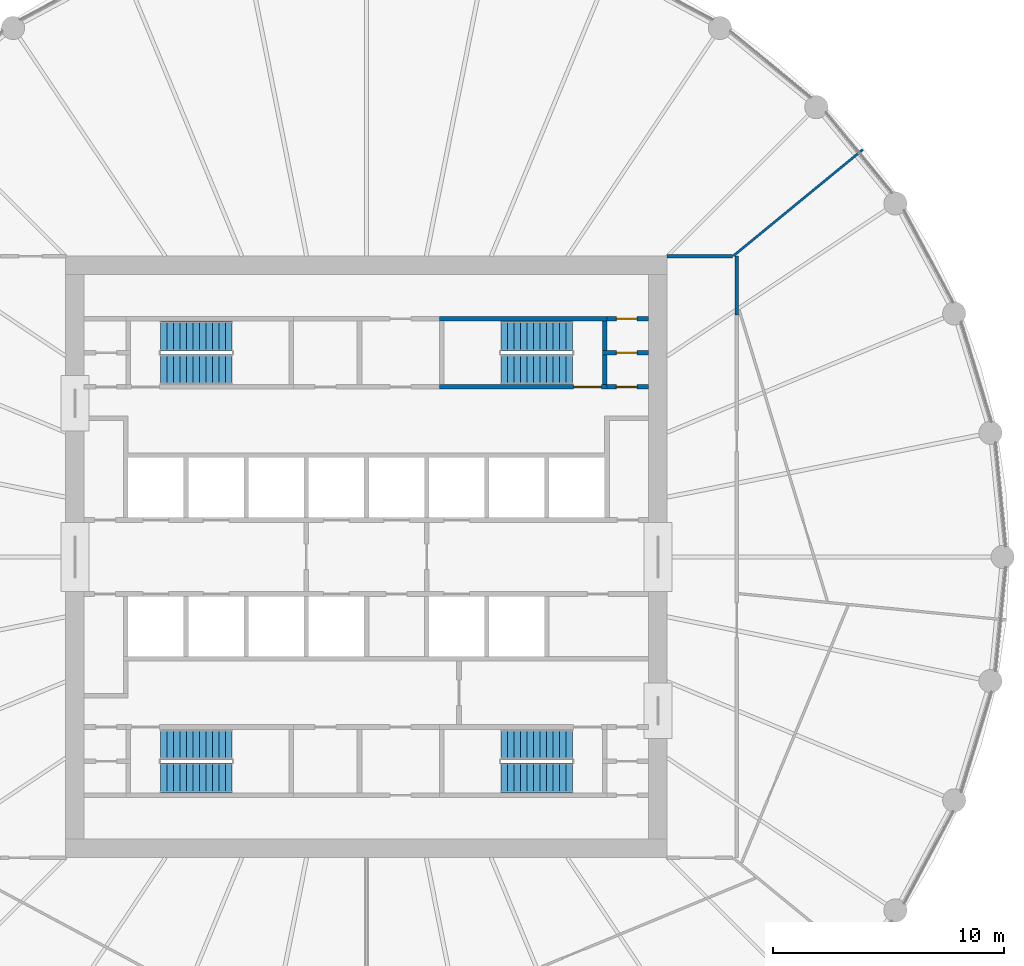
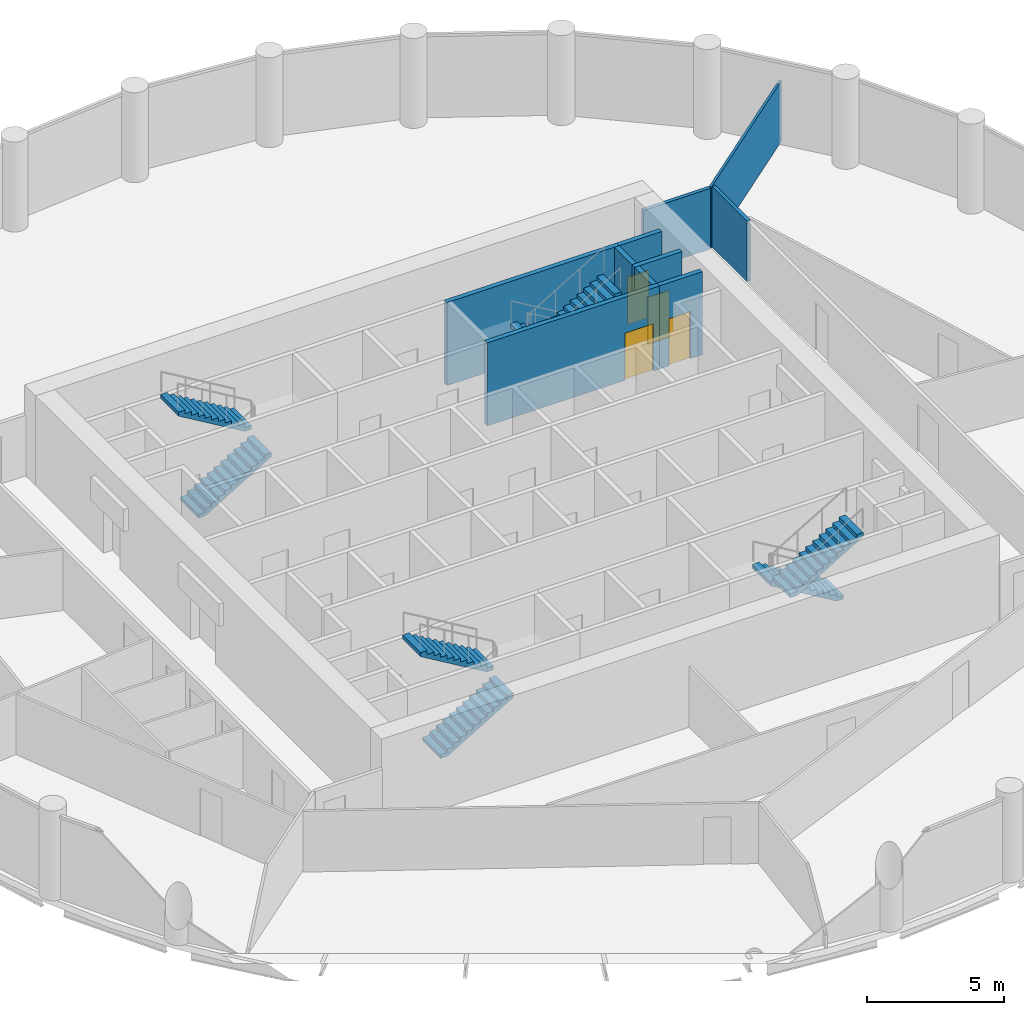
# One storey, part 7 of 8: 10 walls, 8 stair flights, 4 doors, 4 openings, 4 elements without a shape of their own.
"""IFC4 building model written with IfcOpenShell, lengths in metres."""

from ifc_helpers import new_model, si_unit, direction, frame, frame_2d, origin, place, context, subcontext, project, spatial, polyline, rectangle, outline, extrude, material, layer, layer_set, type_object, element, fill, aggregate, save


model = new_model("IFC4")

# Units and contexts
model_context = context("Model", 3, precision=1e-05, world=origin(), true_north=direction((0.0, 1.0)))
body_context = subcontext(model_context, "Body", "Model", "MODEL_VIEW")
ifc_project = project(units=[si_unit("LENGTHUNIT", "METRE"), si_unit("AREAUNIT", "SQUARE_METRE"), si_unit("VOLUMEUNIT", "CUBIC_METRE"), si_unit("PLANEANGLEUNIT", "RADIAN"), si_unit("MASSUNIT", "GRAM", prefix="KILO")], contexts=[model_context])

# Site, building, storey
site_placement = place(None, origin())
site = spatial("IfcSite", under=ifc_project, at=site_placement, CompositionType="ELEMENT")
building_placement = place(site_placement, origin())
building = spatial("IfcBuilding", under=site, at=building_placement, Name="Corvane Civic Tower", CompositionType="ELEMENT")
storey_placement = place(building_placement, frame((0.0, 0.0, 229.5)))
storey = spatial("IfcBuildingStorey", under=building, at=storey_placement, Name="L54", CompositionType="ELEMENT", Elevation=229.5)

# Wall, opening, door
ifc_material_1 = material(Name="Concrete C30/37", Category="concrete")
ifc_layer_1 = layer(ifc_material_1, 0.199951171875)
ifc_layer_set_1 = layer_set([ifc_layer_1], Name="Concrete C30/37")
wall_type_1 = type_object("IfcWallType", Name="CR-WALL-200", PredefinedType="PARTITIONING", material=ifc_layer_set_1)
wall_1_placement = place(storey_placement, frame((10.39990234375, 7.35009765625, 0.0), z_axis=(0.0, 0.0, 1.0), x_axis=(1.0, 0.0, 0.0)))
wall_1 = element("IfcWall", 1, at=wall_1_placement, inside=storey, type_object=wall_type_1, Name="L54 core partition wall", PredefinedType="PARTITIONING", context=body_context, shape_type="SweptSolid", body=[
    extrude(rectangle(XDim=1.800048828125, YDim=0.199951171875, at=frame_2d((0.89990234375, 0.0))), origin(), (0.0, 0.0, 1.0), 3.699951171875),
])
opening_1_placement = place(wall_1_placement, frame((0.39990234375, 0.0, 0.0)))
opening_1 = element("IfcOpeningElement", 2, at=opening_1_placement, cuts=wall_1, Name="Opening L54.C16", PredefinedType="OPENING", context=body_context, shape_type="SweptSolid", body=[
    extrude(rectangle(XDim=0.89990234375, YDim=2.10009765625, at=frame_2d((0.449951171875, 1.050048828125))), frame((0.0, 0.10986328125, 0.0), z_axis=(0.0, -1.0, 0.0), x_axis=(1.0, 0.0, 0.0)), (0.0, 0.0, 1.0), 0.219970703125),
])
ifc_material_2 = material(Name="Steel fire door leaf", Category="steel")
door_type_1 = type_object("IfcDoorType", Name="CR-DOOR-900", OperationType="SINGLE_SWING_LEFT", PredefinedType="DOOR", material=ifc_material_2)
door_1_placement = place(opening_1_placement, origin())
door_1 = element("IfcDoor", 3, at=door_1_placement, inside=storey, type_object=door_type_1, Name="L54 door", OperationType="SINGLE_SWING_LEFT", OverallHeight=2.10009765625, OverallWidth=0.89990234375, PredefinedType="DOOR", context=body_context, shape_type="SweptSolid", body=[
    extrude(rectangle(XDim=0.89990234375, YDim=2.10009765625, at=frame_2d((0.449951171875, 1.050048828125))), frame((0.0, 0.02490234375, 0.0), z_axis=(0.0, -1.0, 0.0), x_axis=(1.0, 0.0, 0.0)), (0.0, 0.0, 1.0), 0.050048828125),
])
fill(opening_1, door_1)

wall_2_placement = place(storey_placement, frame((10.199951171875, 8.824951171875, 0.0), z_axis=(0.0, 0.0, 1.0), x_axis=(1.0, 0.0, 0.0)))
wall_2 = element("IfcWall", 4, at=wall_2_placement, inside=storey, type_object=wall_type_1, Name="L54 partition wall", PredefinedType="PARTITIONING", context=body_context, shape_type="SweptSolid", body=[
    extrude(rectangle(XDim=2.0, YDim=0.199951171875, at=frame_2d((1.0, 0.0))), origin(), (0.0, 0.0, 1.0), 3.699951171875),
])
opening_2_placement = place(wall_2_placement, frame((0.60009765625, 0.0, 0.0)))
opening_2 = element("IfcOpeningElement", 5, at=opening_2_placement, cuts=wall_2, Name="Opening L54.C17", PredefinedType="OPENING", context=body_context, shape_type="SweptSolid", body=[
    extrude(rectangle(XDim=0.89990234375, YDim=2.10009765625, at=frame_2d((0.449951171875, 1.050048828125))), frame((0.0, 0.10986328125, 0.0), z_axis=(0.0, -1.0, 0.0), x_axis=(1.0, 0.0, 0.0)), (0.0, 0.0, 1.0), 0.219970703125),
])
door_2_placement = place(opening_2_placement, origin())
door_2 = element("IfcDoor", 6, at=door_2_placement, inside=storey, type_object=door_type_1, Name="L54 door", OperationType="SINGLE_SWING_LEFT", OverallHeight=2.10009765625, OverallWidth=0.89990234375, PredefinedType="DOOR", context=body_context, shape_type="SweptSolid", body=[
    extrude(rectangle(XDim=0.89990234375, YDim=2.10009765625, at=frame_2d((0.449951171875, 1.050048828125))), frame((0.0, 0.02490234375, 0.0), z_axis=(0.0, -1.0, 0.0), x_axis=(1.0, 0.0, 0.0)), (0.0, 0.0, 1.0), 0.050048828125),
])
fill(opening_2, door_2)

wall_3_placement = place(storey_placement, frame((10.39990234375, 10.300048828125, 0.0), z_axis=(0.0, 0.0, 1.0), x_axis=(1.0, 0.0, 0.0)))
wall_3 = element("IfcWall", 7, at=wall_3_placement, inside=storey, type_object=wall_type_1, Name="L54 partition wall", PredefinedType="PARTITIONING", context=body_context, shape_type="SweptSolid", body=[
    extrude(rectangle(XDim=1.800048828125, YDim=0.199951171875, at=frame_2d((0.89990234375, 0.0))), origin(), (0.0, 0.0, 1.0), 3.699951171875),
])
opening_3_placement = place(wall_3_placement, frame((0.39990234375, 0.0, 0.0)))
opening_3 = element("IfcOpeningElement", 8, at=opening_3_placement, cuts=wall_3, Name="Opening L54.C18", PredefinedType="OPENING", context=body_context, shape_type="SweptSolid", body=[
    extrude(rectangle(XDim=0.89990234375, YDim=2.10009765625, at=frame_2d((0.449951171875, 1.050048828125))), frame((0.0, 0.10986328125, 0.0), z_axis=(0.0, -1.0, 0.0), x_axis=(1.0, 0.0, 0.0)), (0.0, 0.0, 1.0), 0.219970703125),
])
door_3_placement = place(opening_3_placement, origin())
door_3 = element("IfcDoor", 9, at=door_3_placement, inside=storey, type_object=door_type_1, Name="L54 door", OperationType="SINGLE_SWING_LEFT", OverallHeight=2.10009765625, OverallWidth=0.89990234375, PredefinedType="DOOR", context=body_context, shape_type="SweptSolid", body=[
    extrude(rectangle(XDim=0.89990234375, YDim=2.10009765625, at=frame_2d((0.449951171875, 1.050048828125))), frame((0.0, 0.02490234375, 0.0), z_axis=(0.0, -1.0, 0.0), x_axis=(1.0, 0.0, 0.0)), (0.0, 0.0, 1.0), 0.050048828125),
])
fill(opening_3, door_3)

# Wall
ifc_material_3 = material(Name="Plasterboard")
ifc_layer_2 = layer(ifc_material_3, 0.10009765625)
ifc_layer_set_2 = layer_set([ifc_layer_2], Name="Plasterboard")
wall_type_2 = type_object("IfcWallType", Name="Partition 100 plasterboard on studs", PredefinedType="PARTITIONING", material=ifc_layer_set_2)
wall_4_placement = place(storey_placement, frame((15.8544921875, 13.01123046875, 0.0), z_axis=(0.0, 0.0, 1.0), x_axis=(0.772997895748, 0.634408585352, 0.0)))
element("IfcWall", 10, at=wall_4_placement, inside=storey, type_object=wall_type_2, Name="Partition L54.028", PredefinedType="PARTITIONING", context=body_context, shape_type="SweptSolid", body=[
    extrude(rectangle(XDim=7.240234375, YDim=0.10009765625, at=frame_2d((3.6201171875, 0.0))), origin(), (0.0, 0.0, 1.0), 2.699951171875),
])

# Wall, opening, door
ifc_material_4 = material(Name="Concrete C50/60", Category="concrete")
ifc_layer_3 = layer(ifc_material_4, 0.199951171875)
ifc_layer_set_3 = layer_set([ifc_layer_3], Name="Concrete C50/60")
wall_type_3 = type_object("IfcWallType", Name="ST-WALL-200", PredefinedType="SHEAR", material=ifc_layer_set_3)
wall_5_placement = place(storey_placement, frame((3.14990234375, 7.35009765625, 0.0), z_axis=(0.0, 0.0, 1.0), x_axis=(1.0, 0.0, 0.0)))
wall_5 = element("IfcWall", 11, at=wall_5_placement, inside=storey, type_object=wall_type_3, Name="L54 stair enclosure wall", PredefinedType="SHEAR", context=body_context, shape_type="SweptSolid", body=[
    extrude(rectangle(XDim=7.25, YDim=0.199951171875, at=frame_2d((3.625, 0.0))), origin(), (0.0, 0.0, 1.0), 3.699951171875),
])
opening_4_placement = place(wall_5_placement, frame((5.800048828125, 0.0, 0.0)))
opening_4 = element("IfcOpeningElement", 12, at=opening_4_placement, cuts=wall_5, Name="Opening L54.C22", PredefinedType="OPENING", context=body_context, shape_type="SweptSolid", body=[
    extrude(rectangle(XDim=1.199951171875, YDim=2.10009765625, at=frame_2d((0.60009765625, 1.050048828125))), frame((0.0, 0.10986328125, 0.0), z_axis=(0.0, -1.0, 0.0), x_axis=(1.0, 0.0, 0.0)), (0.0, 0.0, 1.0), 0.219970703125),
])
ifc_material_5 = material(Name="Steel fire door leaf", Category="steel")
door_type_2 = type_object("IfcDoorType", Name="ST-DOOR-1200", OperationType="SINGLE_SWING_RIGHT", PredefinedType="DOOR", material=ifc_material_5)
door_4_placement = place(opening_4_placement, origin())
door_4 = element("IfcDoor", 13, at=door_4_placement, inside=storey, type_object=door_type_2, Name="L54 stair door", OperationType="SINGLE_SWING_RIGHT", OverallHeight=2.10009765625, OverallWidth=1.199951171875, PredefinedType="DOOR", context=body_context, shape_type="SweptSolid", body=[
    extrude(rectangle(XDim=1.199951171875, YDim=2.10009765625, at=frame_2d((0.60009765625, 1.050048828125))), frame((0.0, 0.02490234375, 0.0), z_axis=(0.0, -1.0, 0.0), x_axis=(1.0, 0.0, 0.0)), (0.0, 0.0, 1.0), 0.050048828125),
])
fill(opening_4, door_4)

# Walls
wall_6_placement = place(storey_placement, origin())
element("IfcWall", 14, at=wall_6_placement, inside=storey, type_object=wall_type_3, Name="L54 stair enclosure wall", PredefinedType="SHEAR", context=body_context, shape_type="SweptSolid", body=[
    extrude(outline(polyline([(10.39990234375, 10.199951171875), (3.14990234375, 10.199951171875), (3.14990234375, 10.39990234375), (10.39990234375, 10.39990234375), (10.39990234375, 10.199951171875)])), origin(), (0.0, 0.0, 1.0), 3.699951171875),
])
wall_7_placement = place(storey_placement, origin())
element("IfcWall", 15, at=wall_7_placement, inside=storey, type_object=wall_type_3, Name="L54 stair enclosure wall", PredefinedType="SHEAR", context=body_context, shape_type="SweptSolid", body=[
    extrude(outline(polyline([(10.39990234375, 8.72509765625), (10.39990234375, 7.449951171875), (10.199951171875, 7.449951171875), (10.199951171875, 8.72509765625), (10.39990234375, 8.72509765625)])), origin(), (0.0, 0.0, 1.0), 3.699951171875),
])
wall_8_placement = place(storey_placement, origin())
element("IfcWall", 16, at=wall_8_placement, inside=storey, type_object=wall_type_3, Name="L54 stair enclosure wall", PredefinedType="SHEAR", context=body_context, shape_type="SweptSolid", body=[
    extrude(outline(polyline([(10.39990234375, 8.925048828125), (10.199951171875, 8.925048828125), (10.199951171875, 10.199951171875), (10.39990234375, 10.199951171875), (10.39990234375, 8.925048828125)])), origin(), (0.0, 0.0, 1.0), 3.699951171875),
])
ifc_material_6 = material(Name="Plasterboard")
ifc_layer_4 = layer(ifc_material_6, 0.14990234375)
ifc_layer_set_4 = layer_set([ifc_layer_4], Name="Plasterboard")
wall_type_4 = type_object("IfcWallType", Name="Tenancy wall 150 EI 60", PredefinedType="PARTITIONING", material=ifc_layer_set_4)
wall_9_placement = place(storey_placement, frame((16.0, 10.459716796875, 0.0), z_axis=(0.0, 0.0, 1.0), x_axis=(0.0, 1.0, 0.0)))
element("IfcWall", 17, at=wall_9_placement, inside=storey, type_object=wall_type_4, Name="Partition L54.024", PredefinedType="PARTITIONING", context=body_context, shape_type="SweptSolid", body=[
    extrude(rectangle(XDim=2.540283203125, YDim=0.14990234375, at=frame_2d((1.27001953125, 0.0))), origin(), (0.0, 0.0, 1.0), 2.699951171875),
])
wall_10_placement = place(storey_placement, frame((12.989990234375, 13.0, 0.0), z_axis=(0.0, 0.0, 1.0), x_axis=(1.0, 0.0, 0.0)))
element("IfcWall", 18, at=wall_10_placement, inside=storey, type_object=wall_type_4, Name="Partition L54.026", PredefinedType="PARTITIONING", context=body_context, shape_type="SweptSolid", body=[
    extrude(rectangle(XDim=2.82373046875, YDim=0.14990234375, at=frame_2d((1.411865234375, 0.0))), origin(), (0.0, 0.0, 1.0), 2.699951171875),
])

# Stair, stair flights
ifc_material_7 = material(Name="Concrete C40/50", Category="concrete")
stair_type = type_object("IfcStairType", Name="ST-STAIR-HALFTURN", PredefinedType="HALF_TURN_STAIR", material=ifc_material_7)
stair_1_placement = place(storey_placement, origin())
stair_1 = element("IfcStair", 19, at=stair_1_placement, inside=storey, type_object=stair_type, Name="L54 Exit stair ST1", PredefinedType="HALF_TURN_STAIR")
ifc_material_8 = material(Name="Concrete C40/50", Category="concrete")
stair_flight_type = type_object("IfcStairFlightType", Name="ST-FLIGHT-RC", PredefinedType="STRAIGHT", material=ifc_material_8)
stair_flight_1_placement = place(storey_placement, frame((8.89990234375, 9.550048828125, 0.0), z_axis=(0.0, 0.0, 1.0), x_axis=(-1.0, 0.0, 0.0)))
stair_flight_1 = element("IfcStairFlight", 20, at=stair_flight_1_placement, type_object=stair_flight_type, Name="ST1 flight 1", NumberOfRisers=12, NumberOfTreads=11, PredefinedType="STRAIGHT", RiserHeight=0.166666667, TreadLength=0.28, context=body_context, shape_type="SweptSolid", body=[
    extrude(outline(polyline([(0.0, 0.0), (0.0, 0.166748046875), (0.280029296875, 0.166748046875), (0.280029296875, 0.333251953125), (0.56005859375, 0.333251953125), (0.56005859375, 0.5), (0.840087890625, 0.5), (0.840087890625, 0.666748046875), (1.1201171875, 0.666748046875), (1.1201171875, 0.833251953125), (1.39990234375, 0.833251953125), (1.39990234375, 1.0), (1.679931640625, 1.0), (1.679931640625, 1.166748046875), (1.9599609375, 1.166748046875), (1.9599609375, 1.333251953125), (2.239990234375, 1.333251953125), (2.239990234375, 1.5), (2.52001953125, 1.5), (2.52001953125, 1.666748046875), (2.800048828125, 1.666748046875), (2.800048828125, 1.833251953125), (3.080078125, 1.833251953125), (3.080078125, 2.0), (3.080078125, 1.658935546875), (0.29296875, 0.0), (0.0, 0.0)])), frame((0.0, 0.64990234375, 0.0), z_axis=(0.0, -1.0, 0.0), x_axis=(1.0, 0.0, 0.0)), (0.0, 0.0, 1.0), 1.300048828125),
])
stair_flight_2_placement = place(storey_placement, frame((5.820068359375, 8.10009765625, 2.0), z_axis=(0.0, 0.0, 1.0), x_axis=(1.0, 0.0, 0.0)))
stair_flight_2 = element("IfcStairFlight", 21, at=stair_flight_2_placement, type_object=stair_flight_type, Name="ST1 flight 2", NumberOfRisers=12, NumberOfTreads=11, PredefinedType="STRAIGHT", RiserHeight=0.166666667, TreadLength=0.28, context=body_context, shape_type="SweptSolid", body=[
    extrude(outline(polyline([(0.0, 0.0), (0.0, 0.166748046875), (0.280029296875, 0.166748046875), (0.280029296875, 0.333251953125), (0.56005859375, 0.333251953125), (0.56005859375, 0.5), (0.840087890625, 0.5), (0.840087890625, 0.666748046875), (1.1201171875, 0.666748046875), (1.1201171875, 0.833251953125), (1.39990234375, 0.833251953125), (1.39990234375, 1.0), (1.679931640625, 1.0), (1.679931640625, 1.166748046875), (1.9599609375, 1.166748046875), (1.9599609375, 1.333251953125), (2.239990234375, 1.333251953125), (2.239990234375, 1.5), (2.52001953125, 1.5), (2.52001953125, 1.666748046875), (2.800048828125, 1.666748046875), (2.800048828125, 1.833251953125), (3.080078125, 1.833251953125), (3.080078125, 2.0), (3.080078125, 1.658935546875), (0.29296875, 0.0), (0.0, 0.0)])), frame((0.0, 0.64990234375, 0.0), z_axis=(0.0, -1.0, 0.0), x_axis=(1.0, 0.0, 0.0)), (0.0, 0.0, 1.0), 1.300048828125),
])
aggregate(stair_1, [stair_flight_1, stair_flight_2])

stair_2_placement = place(storey_placement, origin())
stair_2 = element("IfcStair", 22, at=stair_2_placement, inside=storey, type_object=stair_type, Name="L54 Exit stair ST2", PredefinedType="HALF_TURN_STAIR")
stair_flight_3_placement = place(storey_placement, frame((8.89990234375, -8.10009765625, 0.0), z_axis=(0.0, 0.0, 1.0), x_axis=(-1.0, 0.0, 0.0)))
stair_flight_3 = element("IfcStairFlight", 23, at=stair_flight_3_placement, type_object=stair_flight_type, Name="ST2 flight 1", NumberOfRisers=12, NumberOfTreads=11, PredefinedType="STRAIGHT", RiserHeight=0.166666667, TreadLength=0.28, context=body_context, shape_type="SweptSolid", body=[
    extrude(outline(polyline([(0.0, 0.0), (0.0, 0.166748046875), (0.280029296875, 0.166748046875), (0.280029296875, 0.333251953125), (0.56005859375, 0.333251953125), (0.56005859375, 0.5), (0.840087890625, 0.5), (0.840087890625, 0.666748046875), (1.1201171875, 0.666748046875), (1.1201171875, 0.833251953125), (1.39990234375, 0.833251953125), (1.39990234375, 1.0), (1.679931640625, 1.0), (1.679931640625, 1.166748046875), (1.9599609375, 1.166748046875), (1.9599609375, 1.333251953125), (2.239990234375, 1.333251953125), (2.239990234375, 1.5), (2.52001953125, 1.5), (2.52001953125, 1.666748046875), (2.800048828125, 1.666748046875), (2.800048828125, 1.833251953125), (3.080078125, 1.833251953125), (3.080078125, 2.0), (3.080078125, 1.658935546875), (0.29296875, 0.0), (0.0, 0.0)])), frame((0.0, 0.64990234375, 0.0), z_axis=(0.0, -1.0, 0.0), x_axis=(1.0, 0.0, 0.0)), (0.0, 0.0, 1.0), 1.300048828125),
])
stair_flight_4_placement = place(storey_placement, frame((5.820068359375, -9.550048828125, 2.0), z_axis=(0.0, 0.0, 1.0), x_axis=(1.0, 0.0, 0.0)))
stair_flight_4 = element("IfcStairFlight", 24, at=stair_flight_4_placement, type_object=stair_flight_type, Name="ST2 flight 2", NumberOfRisers=12, NumberOfTreads=11, PredefinedType="STRAIGHT", RiserHeight=0.166666667, TreadLength=0.28, context=body_context, shape_type="SweptSolid", body=[
    extrude(outline(polyline([(0.0, 0.0), (0.0, 0.166748046875), (0.280029296875, 0.166748046875), (0.280029296875, 0.333251953125), (0.56005859375, 0.333251953125), (0.56005859375, 0.5), (0.840087890625, 0.5), (0.840087890625, 0.666748046875), (1.1201171875, 0.666748046875), (1.1201171875, 0.833251953125), (1.39990234375, 0.833251953125), (1.39990234375, 1.0), (1.679931640625, 1.0), (1.679931640625, 1.166748046875), (1.9599609375, 1.166748046875), (1.9599609375, 1.333251953125), (2.239990234375, 1.333251953125), (2.239990234375, 1.5), (2.52001953125, 1.5), (2.52001953125, 1.666748046875), (2.800048828125, 1.666748046875), (2.800048828125, 1.833251953125), (3.080078125, 1.833251953125), (3.080078125, 2.0), (3.080078125, 1.658935546875), (0.29296875, 0.0), (0.0, 0.0)])), frame((0.0, 0.64990234375, 0.0), z_axis=(0.0, -1.0, 0.0), x_axis=(1.0, 0.0, 0.0)), (0.0, 0.0, 1.0), 1.300048828125),
])
aggregate(stair_2, [stair_flight_3, stair_flight_4])

stair_3_placement = place(storey_placement, origin())
stair_3 = element("IfcStair", 25, at=stair_3_placement, inside=storey, type_object=stair_type, Name="L54 Exit stair ST3", PredefinedType="HALF_TURN_STAIR")
stair_flight_5_placement = place(storey_placement, frame((-8.89990234375, -9.550048828125, 0.0), z_axis=(0.0, 0.0, 1.0), x_axis=(1.0, 0.0, 0.0)))
stair_flight_5 = element("IfcStairFlight", 26, at=stair_flight_5_placement, type_object=stair_flight_type, Name="ST3 flight 1", NumberOfRisers=12, NumberOfTreads=11, PredefinedType="STRAIGHT", RiserHeight=0.166666667, TreadLength=0.28, context=body_context, shape_type="SweptSolid", body=[
    extrude(outline(polyline([(0.0, 0.0), (0.0, 0.166748046875), (0.280029296875, 0.166748046875), (0.280029296875, 0.333251953125), (0.56005859375, 0.333251953125), (0.56005859375, 0.5), (0.840087890625, 0.5), (0.840087890625, 0.666748046875), (1.1201171875, 0.666748046875), (1.1201171875, 0.833251953125), (1.39990234375, 0.833251953125), (1.39990234375, 1.0), (1.679931640625, 1.0), (1.679931640625, 1.166748046875), (1.9599609375, 1.166748046875), (1.9599609375, 1.333251953125), (2.239990234375, 1.333251953125), (2.239990234375, 1.5), (2.52001953125, 1.5), (2.52001953125, 1.666748046875), (2.800048828125, 1.666748046875), (2.800048828125, 1.833251953125), (3.080078125, 1.833251953125), (3.080078125, 2.0), (3.080078125, 1.658935546875), (0.29296875, 0.0), (0.0, 0.0)])), frame((0.0, 0.64990234375, 0.0), z_axis=(0.0, -1.0, 0.0), x_axis=(1.0, 0.0, 0.0)), (0.0, 0.0, 1.0), 1.300048828125),
])
stair_flight_6_placement = place(storey_placement, frame((-5.820068359375, -8.10009765625, 2.0), z_axis=(0.0, 0.0, 1.0), x_axis=(-1.0, 0.0, 0.0)))
stair_flight_6 = element("IfcStairFlight", 27, at=stair_flight_6_placement, type_object=stair_flight_type, Name="ST3 flight 2", NumberOfRisers=12, NumberOfTreads=11, PredefinedType="STRAIGHT", RiserHeight=0.166666667, TreadLength=0.28, context=body_context, shape_type="SweptSolid", body=[
    extrude(outline(polyline([(0.0, 0.0), (0.0, 0.166748046875), (0.280029296875, 0.166748046875), (0.280029296875, 0.333251953125), (0.56005859375, 0.333251953125), (0.56005859375, 0.5), (0.840087890625, 0.5), (0.840087890625, 0.666748046875), (1.1201171875, 0.666748046875), (1.1201171875, 0.833251953125), (1.39990234375, 0.833251953125), (1.39990234375, 1.0), (1.679931640625, 1.0), (1.679931640625, 1.166748046875), (1.9599609375, 1.166748046875), (1.9599609375, 1.333251953125), (2.239990234375, 1.333251953125), (2.239990234375, 1.5), (2.52001953125, 1.5), (2.52001953125, 1.666748046875), (2.800048828125, 1.666748046875), (2.800048828125, 1.833251953125), (3.080078125, 1.833251953125), (3.080078125, 2.0), (3.080078125, 1.658935546875), (0.29296875, 0.0), (0.0, 0.0)])), frame((0.0, 0.64990234375, 0.0), z_axis=(0.0, -1.0, 0.0), x_axis=(1.0, 0.0, 0.0)), (0.0, 0.0, 1.0), 1.300048828125),
])
aggregate(stair_3, [stair_flight_5, stair_flight_6])

stair_4_placement = place(storey_placement, origin())
stair_4 = element("IfcStair", 28, at=stair_4_placement, inside=storey, type_object=stair_type, Name="L54 Exit stair ST4", PredefinedType="HALF_TURN_STAIR")
stair_flight_7_placement = place(storey_placement, frame((-8.89990234375, 8.10009765625, 0.0), z_axis=(0.0, 0.0, 1.0), x_axis=(1.0, 0.0, 0.0)))
stair_flight_7 = element("IfcStairFlight", 29, at=stair_flight_7_placement, type_object=stair_flight_type, Name="ST4 flight 1", NumberOfRisers=12, NumberOfTreads=11, PredefinedType="STRAIGHT", RiserHeight=0.166666667, TreadLength=0.28, context=body_context, shape_type="SweptSolid", body=[
    extrude(outline(polyline([(0.0, 0.0), (0.0, 0.166748046875), (0.280029296875, 0.166748046875), (0.280029296875, 0.333251953125), (0.56005859375, 0.333251953125), (0.56005859375, 0.5), (0.840087890625, 0.5), (0.840087890625, 0.666748046875), (1.1201171875, 0.666748046875), (1.1201171875, 0.833251953125), (1.39990234375, 0.833251953125), (1.39990234375, 1.0), (1.679931640625, 1.0), (1.679931640625, 1.166748046875), (1.9599609375, 1.166748046875), (1.9599609375, 1.333251953125), (2.239990234375, 1.333251953125), (2.239990234375, 1.5), (2.52001953125, 1.5), (2.52001953125, 1.666748046875), (2.800048828125, 1.666748046875), (2.800048828125, 1.833251953125), (3.080078125, 1.833251953125), (3.080078125, 2.0), (3.080078125, 1.658935546875), (0.29296875, 0.0), (0.0, 0.0)])), frame((0.0, 0.64990234375, 0.0), z_axis=(0.0, -1.0, 0.0), x_axis=(1.0, 0.0, 0.0)), (0.0, 0.0, 1.0), 1.300048828125),
])
stair_flight_8_placement = place(storey_placement, frame((-5.820068359375, 9.550048828125, 2.0), z_axis=(0.0, 0.0, 1.0), x_axis=(-1.0, 0.0, 0.0)))
stair_flight_8 = element("IfcStairFlight", 30, at=stair_flight_8_placement, type_object=stair_flight_type, Name="ST4 flight 2", NumberOfRisers=12, NumberOfTreads=11, PredefinedType="STRAIGHT", RiserHeight=0.166666667, TreadLength=0.28, context=body_context, shape_type="SweptSolid", body=[
    extrude(outline(polyline([(0.0, 0.0), (0.0, 0.166748046875), (0.280029296875, 0.166748046875), (0.280029296875, 0.333251953125), (0.56005859375, 0.333251953125), (0.56005859375, 0.5), (0.840087890625, 0.5), (0.840087890625, 0.666748046875), (1.1201171875, 0.666748046875), (1.1201171875, 0.833251953125), (1.39990234375, 0.833251953125), (1.39990234375, 1.0), (1.679931640625, 1.0), (1.679931640625, 1.166748046875), (1.9599609375, 1.166748046875), (1.9599609375, 1.333251953125), (2.239990234375, 1.333251953125), (2.239990234375, 1.5), (2.52001953125, 1.5), (2.52001953125, 1.666748046875), (2.800048828125, 1.666748046875), (2.800048828125, 1.833251953125), (3.080078125, 1.833251953125), (3.080078125, 2.0), (3.080078125, 1.658935546875), (0.29296875, 0.0), (0.0, 0.0)])), frame((0.0, 0.64990234375, 0.0), z_axis=(0.0, -1.0, 0.0), x_axis=(1.0, 0.0, 0.0)), (0.0, 0.0, 1.0), 1.300048828125),
])
aggregate(stair_4, [stair_flight_7, stair_flight_8])

save(model, "model.ifc")
